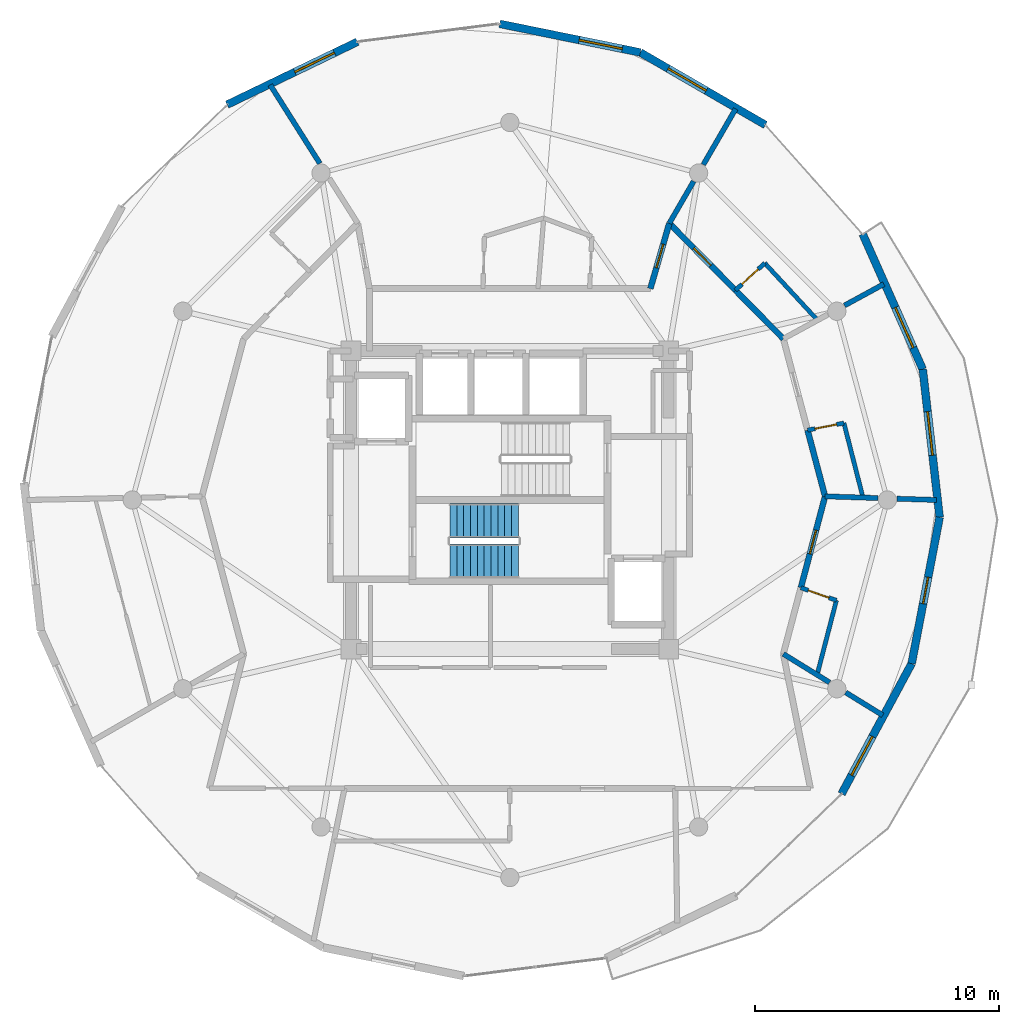
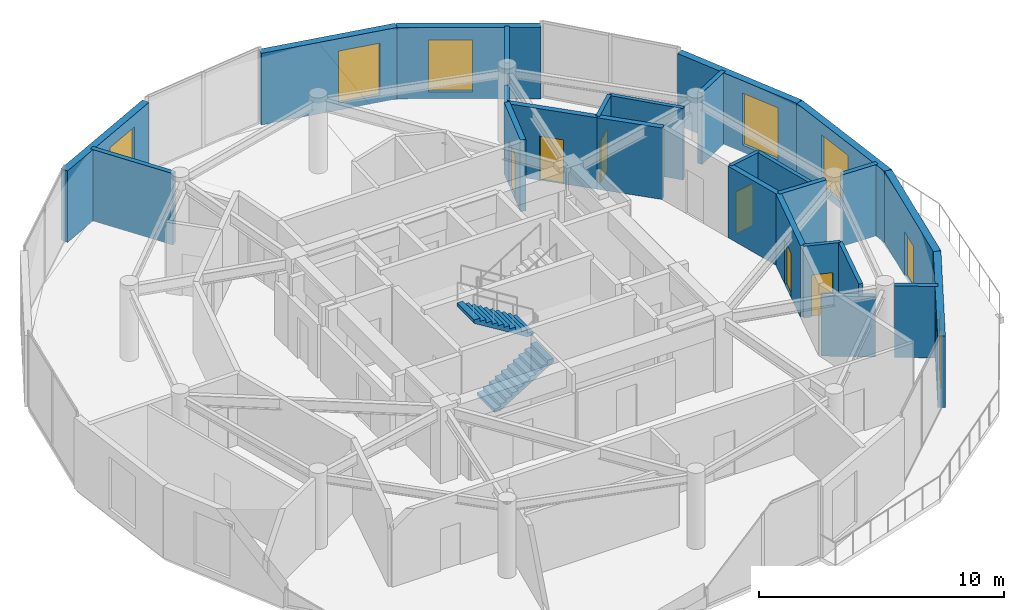
# One storey, part 20 of 23: 26 walls, 7 doors, 6 windows, 2 stair flights, 13 openings, 1 element without a shape of its own.
"""IFC4 building model written with IfcOpenShell, lengths in metres."""

from ifc_helpers import new_model, si_unit, direction, frame, frame_2d, origin, place, context, subcontext, project, spatial, polyline, rectangle, outline, extrude, material, layer, layer_set, type_object, element, fill, aggregate, save


model = new_model("IFC4")

# Units and contexts
model_context = context("Model", 3, precision=1e-05, world=origin(), true_north=direction((0.0, 1.0)))
body_context = subcontext(model_context, "Body", "Model", "MODEL_VIEW")
ifc_project = project(units=[si_unit("LENGTHUNIT", "METRE"), si_unit("AREAUNIT", "SQUARE_METRE"), si_unit("VOLUMEUNIT", "CUBIC_METRE"), si_unit("PLANEANGLEUNIT", "RADIAN"), si_unit("MASSUNIT", "GRAM", prefix="KILO")], contexts=[model_context])

# Site, building, storey
site_placement = place(None, origin())
site = spatial("IfcSite", under=ifc_project, at=site_placement, CompositionType="ELEMENT")
building_placement = place(site_placement, origin())
building = spatial("IfcBuilding", under=site, at=building_placement, Name="Solvirekh Grand Hotel", CompositionType="ELEMENT")
storey_placement = place(building_placement, frame((0.0, 0.0, 285.800048828125)))
storey = spatial("IfcBuildingStorey", under=building, at=storey_placement, Name="L74", CompositionType="ELEMENT", Elevation=285.800048828125)

# Wall, opening, window
ifc_material_1 = material(Name="Precast concrete C45/55", Category="concrete")
ifc_layer_1 = layer(ifc_material_1, 0.320068359375)
ifc_layer_set_1 = layer_set([ifc_layer_1], Name="Precast concrete C45/55")
wall_type_1 = type_object("IfcWallType", Name="ExtLobbyWall_RC320", PredefinedType="SOLIDWALL", material=ifc_layer_set_1)
wall_1_placement = place(storey_placement, frame((16.443115234375, -6.694091796875, 0.0), z_axis=(0.0, 0.0, 1.0), x_axis=(-0.4736836628, -0.880695059369, 0.0)))
wall_1 = element("IfcWall", 1, at=wall_1_placement, inside=storey, type_object=wall_type_1, Name="L74 exterior structural wall chord 4", PredefinedType="SOLIDWALL", context=body_context, shape_type="SweptSolid", body=[
    extrude(rectangle(XDim=6.052978515625, YDim=0.320068359375, at=frame_2d((3.0263671875, 0.0))), origin(), (0.0, 0.0, 1.0), 3.570068359375),
])
opening_1_placement = place(wall_1_placement, frame((3.387939453125, 0.0, 0.35009765625)))
opening_1 = element("IfcOpeningElement", 2, at=opening_1_placement, cuts=wall_1, Name="Opening W02", PredefinedType="OPENING", context=body_context, shape_type="SweptSolid", body=[
    extrude(rectangle(XDim=1.800048828125, YDim=2.60009765625, at=frame_2d((0.89990234375, 1.300048828125))), frame((0.0, 0.169921875, 0.0), z_axis=(0.0, -1.0, 0.0), x_axis=(1.0, 0.0, 0.0)), (0.0, 0.0, 1.0), 0.340087890625),
])
ifc_material_2 = material(Name="Low-E Tinted Bronze Laminated Glass", Category="aluminium")
window_type = type_object("IfcWindowType", Name="Win_LobbyExt_1800X2600", PartitioningType="SINGLE_PANEL", PredefinedType="WINDOW", material=ifc_material_2)
window_1_placement = place(opening_1_placement, origin())
window_1 = element("IfcWindow", 3, at=window_1_placement, inside=storey, type_object=window_type, Name="L74 panoramic bronze-framed window 4", OverallHeight=2.60009765625, OverallWidth=1.800048828125, PartitioningType="SINGLE_PANEL", PredefinedType="WINDOW", context=body_context, shape_type="SweptSolid", body=[
    extrude(rectangle(XDim=1.800048828125, YDim=2.60009765625, at=frame_2d((0.89990234375, 1.300048828125))), frame((0.0, 0.030029296875, 0.0), z_axis=(0.0, -1.0, 0.0), x_axis=(1.0, 0.0, 0.0)), (0.0, 0.0, 1.0), 0.06005859375),
])
fill(opening_1, window_1)

# Wall, opening, door
wall_2_placement = place(storey_placement, frame((17.5869140625, -0.70703125, 0.0), z_axis=(0.0, 0.0, 1.0), x_axis=(-0.187651357853, -0.982235698748, 0.0)))
wall_2 = element("IfcWall", 4, at=wall_2_placement, inside=storey, type_object=wall_type_1, Name="L74 exterior structural wall chord 5", PredefinedType="SOLIDWALL", context=body_context, shape_type="SweptSolid", body=[
    extrude(rectangle(XDim=6.095458984375, YDim=0.320068359375, at=frame_2d((3.0478515625, 0.0))), origin(), (0.0, 0.0, 1.0), 3.570068359375),
])
opening_2_placement = place(wall_2_placement, frame((2.498046875, 0.0, 0.0)))
opening_2 = element("IfcOpeningElement", 5, at=opening_2_placement, cuts=wall_2, Name="Opening D03", PredefinedType="OPENING", context=body_context, shape_type="SweptSolid", body=[
    extrude(rectangle(XDim=1.10009765625, YDim=2.199951171875, at=frame_2d((0.550048828125, 1.10009765625))), frame((0.0, 0.169921875, 0.0), z_axis=(0.0, -1.0, 0.0), x_axis=(1.0, 0.0, 0.0)), (0.0, 0.0, 1.0), 0.340087890625),
])
ifc_material_3 = material(Name="Anodized Bronze Aluminium 6063-T6", Category="aluminium")
door_type_1 = type_object("IfcDoorType", Name="Door_ExtBalcony_1100X2200", OperationType="NOTDEFINED", PredefinedType="DOOR", material=ifc_material_3)
door_1_placement = place(opening_2_placement, origin())
door_1 = element("IfcDoor", 6, at=door_1_placement, inside=storey, type_object=door_type_1, Name="L74 Crescent balcony glazed door (5)", OperationType="SINGLE_SWING_RIGHT", OverallHeight=2.199951171875, OverallWidth=1.10009765625, PredefinedType="DOOR", context=body_context, shape_type="SweptSolid", body=[
    extrude(rectangle(XDim=1.10009765625, YDim=2.199951171875, at=frame_2d((0.550048828125, 1.10009765625))), frame((0.0, 0.02490234375, 0.0), z_axis=(0.0, -1.0, 0.0), x_axis=(1.0, 0.0, 0.0)), (0.0, 0.0, 1.0), 0.050048828125),
])
fill(opening_2, door_1)

# Wall, opening, window
wall_3_placement = place(storey_placement, frame((16.89697265625, 5.34912109375, 0.0), z_axis=(0.0, 0.0, 1.0), x_axis=(0.113191877531, -0.993573147212, 0.0)))
wall_3 = element("IfcWall", 7, at=wall_3_placement, inside=storey, type_object=wall_type_1, Name="L74 exterior structural wall chord 6", PredefinedType="SOLIDWALL", context=body_context, shape_type="SweptSolid", body=[
    extrude(rectangle(XDim=6.09521484375, YDim=0.320068359375, at=frame_2d((3.047607421875, 0.0))), origin(), (0.0, 0.0, 1.0), 3.570068359375),
])
opening_3_placement = place(wall_3_placement, frame((1.739990234375, 0.0, 0.35009765625)))
opening_3 = element("IfcOpeningElement", 8, at=opening_3_placement, cuts=wall_3, Name="Opening W02", PredefinedType="OPENING", context=body_context, shape_type="SweptSolid", body=[
    extrude(rectangle(XDim=1.800048828125, YDim=2.60009765625, at=frame_2d((0.89990234375, 1.300048828125))), frame((0.0, 0.169921875, 0.0), z_axis=(0.0, -1.0, 0.0), x_axis=(1.0, 0.0, 0.0)), (0.0, 0.0, 1.0), 0.340087890625),
])
window_2_placement = place(opening_3_placement, origin())
window_2 = element("IfcWindow", 9, at=window_2_placement, inside=storey, type_object=window_type, Name="L74 panoramic bronze-framed window 6", OverallHeight=2.60009765625, OverallWidth=1.800048828125, PartitioningType="SINGLE_PANEL", PredefinedType="WINDOW", context=body_context, shape_type="SweptSolid", body=[
    extrude(rectangle(XDim=1.800048828125, YDim=2.60009765625, at=frame_2d((0.89990234375, 1.300048828125))), frame((0.0, 0.030029296875, 0.0), z_axis=(0.0, -1.0, 0.0), x_axis=(1.0, 0.0, 0.0)), (0.0, 0.0, 1.0), 0.06005859375),
])
fill(opening_3, window_2)

wall_4_placement = place(storey_placement, frame((14.43994140625, 10.882080078125, 0.0), z_axis=(0.0, 0.0, 1.0), x_axis=(0.405854076471, -0.913937891004, 0.0)))
wall_4 = element("IfcWall", 10, at=wall_4_placement, inside=storey, type_object=wall_type_1, Name="L74 exterior structural wall chord 7", PredefinedType="SOLIDWALL", context=body_context, shape_type="SweptSolid", body=[
    extrude(rectangle(XDim=6.053955078125, YDim=0.320068359375, at=frame_2d((3.02685546875, 0.0))), origin(), (0.0, 0.0, 1.0), 3.570068359375),
])
opening_4_placement = place(wall_4_placement, frame((3.287109375, 0.0, 0.35009765625)))
opening_4 = element("IfcOpeningElement", 11, at=opening_4_placement, cuts=wall_4, Name="Opening W02", PredefinedType="OPENING", context=body_context, shape_type="SweptSolid", body=[
    extrude(rectangle(XDim=1.800048828125, YDim=2.60009765625, at=frame_2d((0.89990234375, 1.300048828125))), frame((0.0, 0.169921875, 0.0), z_axis=(0.0, -1.0, 0.0), x_axis=(1.0, 0.0, 0.0)), (0.0, 0.0, 1.0), 0.340087890625),
])
window_3_placement = place(opening_4_placement, origin())
window_3 = element("IfcWindow", 12, at=window_3_placement, inside=storey, type_object=window_type, Name="L74 panoramic bronze-framed window 7", OverallHeight=2.60009765625, OverallWidth=1.800048828125, PartitioningType="SINGLE_PANEL", PredefinedType="WINDOW", context=body_context, shape_type="SweptSolid", body=[
    extrude(rectangle(XDim=1.800048828125, YDim=2.60009765625, at=frame_2d((0.89990234375, 1.300048828125))), frame((0.0, 0.030029296875, 0.0), z_axis=(0.0, -1.0, 0.0), x_axis=(1.0, 0.0, 0.0)), (0.0, 0.0, 1.0), 0.06005859375),
])
fill(opening_4, window_3)

wall_5_placement = place(storey_placement, frame((5.339111328125, 18.31396484375, 0.0), z_axis=(0.0, 0.0, 1.0), x_axis=(0.865333025006, -0.501197322253, 0.0)))
wall_5 = element("IfcWall", 13, at=wall_5_placement, inside=storey, type_object=wall_type_1, Name="L74 exterior structural wall chord 9", PredefinedType="SOLIDWALL", context=body_context, shape_type="SweptSolid", body=[
    extrude(rectangle(XDim=5.91552734375, YDim=0.320068359375, at=frame_2d((2.957763671875, 0.0))), origin(), (0.0, 0.0, 1.0), 3.570068359375),
])
opening_5_placement = place(wall_5_placement, frame((1.31689453125, 0.0, 0.35009765625)))
opening_5 = element("IfcOpeningElement", 14, at=opening_5_placement, cuts=wall_5, Name="Opening W02", PredefinedType="OPENING", context=body_context, shape_type="SweptSolid", body=[
    extrude(rectangle(XDim=1.800048828125, YDim=2.60009765625, at=frame_2d((0.89990234375, 1.300048828125))), frame((0.0, 0.169921875, 0.0), z_axis=(0.0, -1.0, 0.0), x_axis=(1.0, 0.0, 0.0)), (0.0, 0.0, 1.0), 0.340087890625),
])
window_4_placement = place(opening_5_placement, origin())
window_4 = element("IfcWindow", 15, at=window_4_placement, inside=storey, type_object=window_type, Name="L74 panoramic bronze-framed window 9", OverallHeight=2.60009765625, OverallWidth=1.800048828125, PartitioningType="SINGLE_PANEL", PredefinedType="WINDOW", context=body_context, shape_type="SweptSolid", body=[
    extrude(rectangle(XDim=1.800048828125, YDim=2.60009765625, at=frame_2d((0.89990234375, 1.300048828125))), frame((0.0, 0.030029296875, 0.0), z_axis=(0.0, -1.0, 0.0), x_axis=(1.0, 0.0, 0.0)), (0.0, 0.0, 1.0), 0.06005859375),
])
fill(opening_5, window_4)

wall_6_placement = place(storey_placement, frame((-0.4150390625, 19.486083984375, 0.0), z_axis=(0.0, 0.0, 1.0), x_axis=(0.97987730162, -0.199600785993, 0.0)))
wall_6 = element("IfcWall", 16, at=wall_6_placement, inside=storey, type_object=wall_type_1, Name="L74 exterior structural wall chord 10", PredefinedType="SOLIDWALL", context=body_context, shape_type="SweptSolid", body=[
    extrude(rectangle(XDim=5.872314453125, YDim=0.320068359375, at=frame_2d((2.93603515625, 0.0))), origin(), (0.0, 0.0, 1.0), 3.570068359375),
])
opening_6_placement = place(wall_6_placement, frame((3.318115234375, 0.0, 0.35009765625)))
opening_6 = element("IfcOpeningElement", 17, at=opening_6_placement, cuts=wall_6, Name="Opening W02", PredefinedType="OPENING", context=body_context, shape_type="SweptSolid", body=[
    extrude(rectangle(XDim=1.800048828125, YDim=2.60009765625, at=frame_2d((0.89990234375, 1.300048828125))), frame((0.0, 0.169921875, 0.0), z_axis=(0.0, -1.0, 0.0), x_axis=(1.0, 0.0, 0.0)), (0.0, 0.0, 1.0), 0.340087890625),
])
window_5_placement = place(opening_6_placement, origin())
window_5 = element("IfcWindow", 18, at=window_5_placement, inside=storey, type_object=window_type, Name="L74 panoramic bronze-framed window 10", OverallHeight=2.60009765625, OverallWidth=1.800048828125, PartitioningType="SINGLE_PANEL", PredefinedType="WINDOW", context=body_context, shape_type="SweptSolid", body=[
    extrude(rectangle(XDim=1.800048828125, YDim=2.60009765625, at=frame_2d((0.89990234375, 1.300048828125))), frame((0.0, 0.030029296875, 0.0), z_axis=(0.0, -1.0, 0.0), x_axis=(1.0, 0.0, 0.0)), (0.0, 0.0, 1.0), 0.06005859375),
])
fill(opening_6, window_5)

wall_7_placement = place(storey_placement, frame((-11.569091796875, 16.179931640625, 0.0), z_axis=(0.0, 0.0, 1.0), x_axis=(0.900627949964, 0.434590952212, 0.0)))
wall_7 = element("IfcWall", 19, at=wall_7_placement, inside=storey, type_object=wall_type_1, Name="L74 exterior structural wall chord 12", PredefinedType="SOLIDWALL", context=body_context, shape_type="SweptSolid", body=[
    extrude(rectangle(XDim=5.916015625, YDim=0.320068359375, at=frame_2d((2.9580078125, 0.0))), origin(), (0.0, 0.0, 1.0), 3.570068359375),
])
opening_7_placement = place(wall_7_placement, frame((3.076904296875, 0.0, 0.35009765625)))
opening_7 = element("IfcOpeningElement", 20, at=opening_7_placement, cuts=wall_7, Name="Opening W02", PredefinedType="OPENING", context=body_context, shape_type="SweptSolid", body=[
    extrude(rectangle(XDim=1.800048828125, YDim=2.60009765625, at=frame_2d((0.89990234375, 1.300048828125))), frame((0.0, 0.169921875, 0.0), z_axis=(0.0, -1.0, 0.0), x_axis=(1.0, 0.0, 0.0)), (0.0, 0.0, 1.0), 0.340087890625),
])
window_6_placement = place(opening_7_placement, origin())
window_6 = element("IfcWindow", 21, at=window_6_placement, inside=storey, type_object=window_type, Name="L74 panoramic bronze-framed window 12", OverallHeight=2.60009765625, OverallWidth=1.800048828125, PartitioningType="SINGLE_PANEL", PredefinedType="WINDOW", context=body_context, shape_type="SweptSolid", body=[
    extrude(rectangle(XDim=1.800048828125, YDim=2.60009765625, at=frame_2d((0.89990234375, 1.300048828125))), frame((0.0, 0.030029296875, 0.0), z_axis=(0.0, -1.0, 0.0), x_axis=(1.0, 0.0, 0.0)), (0.0, 0.0, 1.0), 0.06005859375),
])
fill(opening_7, window_6)

# Wall, opening, door
ifc_material_4 = material(Name="Acoustic Gypsum Partition Assembly")
ifc_layer_2 = layer(ifc_material_4, 0.239990234375)
ifc_layer_set_2 = layer_set([ifc_layer_2], Name="Acoustic Gypsum Partition Assembly")
wall_type_2 = type_object("IfcWallType", Name="Part_Corridor_240", PredefinedType="PARTITIONING", material=ifc_layer_set_2)
wall_8_placement = place(storey_placement, frame((5.75, 8.64990234375, 0.0), z_axis=(0.0, 0.0, 1.0), x_axis=(0.27852040308, 0.960430312448, 0.0)))
wall_8 = element("IfcWall", 22, at=wall_8_placement, inside=storey, type_object=wall_type_2, Name="L74 Deluxe Guestroom 7601 entrance wall", PredefinedType="PARTITIONING", context=body_context, shape_type="SweptSolid", body=[
    extrude(rectangle(XDim=2.7822265625, YDim=0.239990234375, at=frame_2d((1.39111328125, 0.0))), origin(), (0.0, 0.0, 1.0), 3.570068359375),
])
opening_8_placement = place(wall_8_placement, frame((0.89111328125, 0.0, 0.0)))
opening_8 = element("IfcOpeningElement", 23, at=opening_8_placement, cuts=wall_8, Name="Opening D07", PredefinedType="OPENING", context=body_context, shape_type="SweptSolid", body=[
    extrude(rectangle(XDim=1.0, YDim=2.199951171875, at=frame_2d((0.5, 1.10009765625))), frame((0.0, 0.1298828125, 0.0), z_axis=(0.0, -1.0, 0.0), x_axis=(1.0, 0.0, 0.0)), (0.0, 0.0, 1.0), 0.260009765625),
])
ifc_material_5 = material(Name="Fire-Rated Steel Door Assembly", Category="steel")
door_type_2 = type_object("IfcDoorType", Name="Door_GuestEntry_1000X2200", OperationType="NOTDEFINED", PredefinedType="DOOR", material=ifc_material_5)
door_2_placement = place(opening_8_placement, origin())
door_2 = element("IfcDoor", 24, at=door_2_placement, inside=storey, type_object=door_type_2, Name="L74 Deluxe Guestroom 7601 entrance door", OperationType="SINGLE_SWING_RIGHT", OverallHeight=2.199951171875, OverallWidth=1.0, PredefinedType="DOOR", context=body_context, shape_type="SweptSolid", body=[
    extrude(rectangle(XDim=1.0, YDim=2.199951171875, at=frame_2d((0.5, 1.10009765625))), frame((0.0, 0.02490234375, 0.0), z_axis=(0.0, -1.0, 0.0), x_axis=(1.0, 0.0, 0.0)), (0.0, 0.0, 1.0), 0.050048828125),
])
fill(opening_8, door_2)

wall_9_placement = place(storey_placement, frame((11.908935546875, -3.591064453125, 0.0), z_axis=(0.0, 0.0, 1.0), x_axis=(0.256064218317, 0.96665977267, 0.0)))
wall_9 = element("IfcWall", 25, at=wall_9_placement, inside=storey, type_object=wall_type_2, Name="L74 Deluxe Guestroom 7604 entrance wall", PredefinedType="PARTITIONING", context=body_context, shape_type="SweptSolid", body=[
    extrude(rectangle(XDim=3.869873046875, YDim=0.239990234375, at=frame_2d((1.93505859375, 0.0))), origin(), (0.0, 0.0, 1.0), 3.570068359375),
])
opening_9_placement = place(wall_9_placement, frame((1.43505859375, 0.0, 0.0)))
opening_9 = element("IfcOpeningElement", 26, at=opening_9_placement, cuts=wall_9, Name="Opening D07", PredefinedType="OPENING", context=body_context, shape_type="SweptSolid", body=[
    extrude(rectangle(XDim=1.0, YDim=2.199951171875, at=frame_2d((0.5, 1.10009765625))), frame((0.0, 0.1298828125, 0.0), z_axis=(0.0, -1.0, 0.0), x_axis=(1.0, 0.0, 0.0)), (0.0, 0.0, 1.0), 0.260009765625),
])
door_3_placement = place(opening_9_placement, origin())
door_3 = element("IfcDoor", 27, at=door_3_placement, inside=storey, type_object=door_type_2, Name="L74 Deluxe Guestroom 7604 entrance door", OperationType="SINGLE_SWING_RIGHT", OverallHeight=2.199951171875, OverallWidth=1.0, PredefinedType="DOOR", context=body_context, shape_type="SweptSolid", body=[
    extrude(rectangle(XDim=1.0, YDim=2.199951171875, at=frame_2d((0.5, 1.10009765625))), frame((0.0, 0.02490234375, 0.0), z_axis=(0.0, -1.0, 0.0), x_axis=(1.0, 0.0, 0.0)), (0.0, 0.0, 1.0), 0.050048828125),
])
fill(opening_9, door_3)

# Walls
wall_10_placement = place(storey_placement, frame((12.89990234375, 0.14990234375, 0.0), z_axis=(0.0, 0.0, 1.0), x_axis=(-0.255796771697, 0.966730578594, 0.0)))
element("IfcWall", 28, at=wall_10_placement, inside=storey, type_object=wall_type_2, Name="L74 En-suite Bathroom 7605 corridor backing wall", PredefinedType="PARTITIONING", context=body_context, shape_type="SweptSolid", body=[
    extrude(rectangle(XDim=2.80224609375, YDim=0.239990234375, at=frame_2d((1.401123046875, 0.0))), origin(), (0.0, 0.0, 1.0), 3.570068359375),
])
wall_11_placement = place(storey_placement, frame((11.19189453125, 6.60009765625, 0.0), z_axis=(0.0, 0.0, 1.0), x_axis=(-0.702979205765, 0.711210402245, 0.0)))
element("IfcWall", 29, at=wall_11_placement, inside=storey, type_object=wall_type_2, Name="L74 En-suite Bathroom 7606 corridor backing wall", PredefinedType="PARTITIONING", context=body_context, shape_type="SweptSolid", body=[
    extrude(rectangle(XDim=2.7880859375, YDim=0.239990234375, at=frame_2d((1.39404296875, 0.0))), origin(), (0.0, 0.0, 1.0), 3.570068359375),
])

# Wall, opening, door
wall_12_placement = place(storey_placement, frame((9.23193359375, 8.5830078125, 0.0), z_axis=(0.0, 0.0, 1.0), x_axis=(-0.702942107486, 0.711247069254, 0.0)))
wall_12 = element("IfcWall", 30, at=wall_12_placement, inside=storey, type_object=wall_type_2, Name="L74 Deluxe Guestroom 7606 entrance wall", PredefinedType="PARTITIONING", context=body_context, shape_type="SweptSolid", body=[
    extrude(rectangle(XDim=3.85107421875, YDim=0.239990234375, at=frame_2d((1.925537109375, 0.0))), origin(), (0.0, 0.0, 1.0), 3.570068359375),
])
opening_10_placement = place(wall_12_placement, frame((1.425048828125, 0.0, 0.0)))
opening_10 = element("IfcOpeningElement", 31, at=opening_10_placement, cuts=wall_12, Name="Opening D07", PredefinedType="OPENING", context=body_context, shape_type="SweptSolid", body=[
    extrude(rectangle(XDim=1.0, YDim=2.199951171875, at=frame_2d((0.5, 1.10009765625))), frame((0.0, 0.1298828125, 0.0), z_axis=(0.0, -1.0, 0.0), x_axis=(1.0, 0.0, 0.0)), (0.0, 0.0, 1.0), 0.260009765625),
])
door_4_placement = place(opening_10_placement, origin())
door_4 = element("IfcDoor", 32, at=door_4_placement, inside=storey, type_object=door_type_2, Name="L74 Deluxe Guestroom 7606 entrance door", OperationType="SINGLE_SWING_RIGHT", OverallHeight=2.199951171875, OverallWidth=1.0, PredefinedType="DOOR", context=body_context, shape_type="SweptSolid", body=[
    extrude(rectangle(XDim=1.0, YDim=2.199951171875, at=frame_2d((0.5, 1.10009765625))), frame((0.0, 0.02490234375, 0.0), z_axis=(0.0, -1.0, 0.0), x_axis=(1.0, 0.0, 0.0)), (0.0, 0.0, 1.0), 0.050048828125),
])
fill(opening_10, door_4)

# Walls
ifc_layer_3 = layer(ifc_material_4, 0.2099609375)
ifc_layer_set_3 = layer_set([ifc_layer_3], Name="Acoustic Gypsum Partition Assembly")
wall_type_3 = type_object("IfcWallType", Name="Part_SuiteDemise_210", PredefinedType="PARTITIONING", material=ifc_layer_set_3)
wall_13_placement = place(storey_placement, frame((12.89990234375, 0.14990234375, 0.0), z_axis=(0.0, 0.0, 1.0), x_axis=(0.999464758513, -0.032713857784, 0.0)))
element("IfcWall", 33, at=wall_13_placement, inside=storey, type_object=wall_type_3, Name="L74 suite radial wall 1 (A)", PredefinedType="PARTITIONING", context=body_context, shape_type="SweptSolid", body=[
    extrude(rectangle(XDim=2.164306640625, YDim=0.2099609375, at=frame_2d((1.08203125, 0.0))), origin(), (0.0, 0.0, 1.0), 3.570068359375),
])
wall_14_placement = place(storey_placement, frame((15.841064453125, 0.052978515625, 0.0), z_axis=(0.0, 0.0, 1.0), x_axis=(0.999468972753, -0.032584850824, 0.0)))
element("IfcWall", 34, at=wall_14_placement, inside=storey, type_object=wall_type_3, Name="L74 suite radial wall 1 (B)", PredefinedType="PARTITIONING", context=body_context, shape_type="SweptSolid", body=[
    extrude(rectangle(XDim=1.6259765625, YDim=0.2099609375, at=frame_2d((0.81298828125, 0.0))), origin(), (0.0, 0.0, 1.0), 3.570068359375),
])
wall_15_placement = place(storey_placement, frame((13.696044921875, 7.9609375, 0.0), z_axis=(0.0, 0.0, 1.0), x_axis=(0.87848586555, 0.477768337198, 0.0)))
element("IfcWall", 35, at=wall_15_placement, inside=storey, type_object=wall_type_3, Name="L74 suite radial wall 2 (B)", PredefinedType="PARTITIONING", context=body_context, shape_type="SweptSolid", body=[
    extrude(rectangle(XDim=1.83154296875, YDim=0.2099609375, at=frame_2d((0.915771484375, 0.0))), origin(), (0.0, 0.0, 1.0), 3.570068359375),
])
wall_16_placement = place(storey_placement, frame((6.52490234375, 11.322021484375, 0.0), z_axis=(0.0, 0.0, 1.0), x_axis=(0.501738314133, 0.865019458817, 0.0)))
element("IfcWall", 36, at=wall_16_placement, inside=storey, type_object=wall_type_3, Name="L74 suite radial wall 3 (A)", PredefinedType="PARTITIONING", context=body_context, shape_type="SweptSolid", body=[
    extrude(rectangle(XDim=1.9873046875, YDim=0.2099609375, at=frame_2d((0.99365234375, 0.0))), origin(), (0.0, 0.0, 1.0), 3.010986328125),
])
wall_17_placement = place(storey_placement, frame((7.91796875, 13.72412109375, 0.0), z_axis=(0.0, 0.0, 1.0), x_axis=(0.501677940029, 0.865054474868, 0.0)))
element("IfcWall", 37, at=wall_17_placement, inside=storey, type_object=wall_type_3, Name="L74 suite radial wall 3 (B)", PredefinedType="PARTITIONING", context=body_context, shape_type="SweptSolid", body=[
    extrude(rectangle(XDim=2.63916015625, YDim=0.2099609375, at=frame_2d((1.319580078125, 0.0))), origin(), (0.0, 0.0, 1.0), 3.570068359375),
])
wall_18_placement = place(storey_placement, frame((-7.77392578125, 13.77197265625, 0.0), z_axis=(0.0, 0.0, 1.0), x_axis=(-0.534555632153, 0.845133288975, 0.0)))
element("IfcWall", 38, at=wall_18_placement, inside=storey, type_object=wall_type_3, Name="L74 suite radial wall 5 (B)", PredefinedType="PARTITIONING", context=body_context, shape_type="SweptSolid", body=[
    extrude(rectangle(XDim=3.802978515625, YDim=0.2099609375, at=frame_2d((1.9013671875, 0.0))), origin(), (0.0, 0.0, 1.0), 3.570068359375),
])
wall_19_placement = place(storey_placement, frame((11.19189453125, -6.300048828125, 0.0), z_axis=(0.0, 0.0, 1.0), x_axis=(0.851084090432, -0.525029400142, 0.0)))
element("IfcWall", 39, at=wall_19_placement, inside=storey, type_object=wall_type_3, Name="L74 suite radial wall 12 (A)", PredefinedType="PARTITIONING", context=body_context, shape_type="SweptSolid", body=[
    extrude(rectangle(XDim=2.220947265625, YDim=0.2099609375, at=frame_2d((1.1103515625, 0.0))), origin(), (0.0, 0.0, 1.0), 3.010986328125),
])
wall_20_placement = place(storey_placement, frame((13.7451171875, -7.875, 0.0), z_axis=(0.0, 0.0, 1.0), x_axis=(0.850951244942, -0.52524468463, 0.0)))
element("IfcWall", 40, at=wall_20_placement, inside=storey, type_object=wall_type_3, Name="L74 suite radial wall 12 (B)", PredefinedType="PARTITIONING", context=body_context, shape_type="SweptSolid", body=[
    extrude(rectangle(XDim=1.7802734375, YDim=0.2099609375, at=frame_2d((0.89013671875, 0.0))), origin(), (0.0, 0.0, 1.0), 3.570068359375),
])
ifc_layer_4 = layer(ifc_material_4, 0.175048828125)
ifc_layer_set_4 = layer_set([ifc_layer_4], Name="Acoustic Gypsum Partition Assembly")
wall_type_4 = type_object("IfcWallType", Name="Plumb_Ensuite_175", PredefinedType="PLUMBINGWALL", material=ifc_layer_set_4)
wall_21_placement = place(storey_placement, frame((12.574951171875, -7.153076171875, 0.0), z_axis=(0.0, 0.0, 1.0), x_axis=(0.25076020851, 0.968049233163, 0.0)))
element("IfcWall", 41, at=wall_21_placement, inside=storey, type_object=wall_type_4, Name="L74 En-suite Bathroom 7604 outer plumbing wall", PredefinedType="PLUMBINGWALL", context=body_context, shape_type="SweptSolid", body=[
    extrude(rectangle(XDim=3.146728515625, YDim=0.175048828125, at=frame_2d((1.5732421875, 0.0))), origin(), (0.0, 0.0, 1.0), 3.570068359375),
])

# Wall, opening, door
wall_22_placement = place(storey_placement, frame((11.908935546875, -3.591064453125, 0.0), z_axis=(0.0, 0.0, 1.0), x_axis=(0.94251934993, -0.3341515749, 0.0)))
wall_22 = element("IfcWall", 42, at=wall_22_placement, inside=storey, type_object=wall_type_4, Name="L74 En-suite Bathroom 7604 entry plumbing wall", PredefinedType="PLUMBINGWALL", context=body_context, shape_type="SweptSolid", body=[
    extrude(rectangle(XDim=1.543701171875, YDim=0.175048828125, at=frame_2d((0.77197265625, 0.0))), origin(), (0.0, 0.0, 1.0), 3.570068359375),
])
opening_11_placement = place(wall_22_placement, frame((0.322021484375, 0.0, 0.0)))
opening_11 = element("IfcOpeningElement", 43, at=opening_11_placement, cuts=wall_22, Name="Opening D09", PredefinedType="OPENING", context=body_context, shape_type="SweptSolid", body=[
    extrude(rectangle(XDim=0.89990234375, YDim=2.10009765625, at=frame_2d((0.449951171875, 1.050048828125))), frame((0.0, 0.09765625, 0.0), z_axis=(0.0, -1.0, 0.0), x_axis=(1.0, 0.0, 0.0)), (0.0, 0.0, 1.0), 0.195068359375),
])
door_type_3 = type_object("IfcDoorType", Name="Door_Ensuite_900X2100", OperationType="NOTDEFINED", PredefinedType="DOOR", material=ifc_material_3)
door_5_placement = place(opening_11_placement, origin())
door_5 = element("IfcDoor", 44, at=door_5_placement, inside=storey, type_object=door_type_3, Name="L74 En-suite Bathroom 7604 door", OperationType="SINGLE_SWING_LEFT", OverallHeight=2.10009765625, OverallWidth=0.89990234375, PredefinedType="DOOR", context=body_context, shape_type="SweptSolid", body=[
    extrude(rectangle(XDim=0.89990234375, YDim=2.10009765625, at=frame_2d((0.449951171875, 1.050048828125))), frame((0.0, 0.02490234375, 0.0), z_axis=(0.0, -1.0, 0.0), x_axis=(1.0, 0.0, 0.0)), (0.0, 0.0, 1.0), 0.050048828125),
])
fill(opening_11, door_5)

# Wall
wall_23_placement = place(storey_placement, frame((14.451904296875, 0.09912109375, 0.0), z_axis=(0.0, 0.0, 1.0), x_axis=(-0.248078682083, 0.968739886397, 0.0)))
element("IfcWall", 45, at=wall_23_placement, inside=storey, type_object=wall_type_4, Name="L74 En-suite Bathroom 7605 outer plumbing wall", PredefinedType="PLUMBINGWALL", context=body_context, shape_type="SweptSolid", body=[
    extrude(rectangle(XDim=3.148193359375, YDim=0.175048828125, at=frame_2d((1.57421875, 0.0))), origin(), (0.0, 0.0, 1.0), 3.570068359375),
])

# Wall, opening, door
wall_24_placement = place(storey_placement, frame((12.18310546875, 2.85888671875, 0.0), z_axis=(0.0, 0.0, 1.0), x_axis=(0.981523067571, 0.191343847108, 0.0)))
wall_24 = element("IfcWall", 46, at=wall_24_placement, inside=storey, type_object=wall_type_4, Name="L74 En-suite Bathroom 7605 entry plumbing wall", PredefinedType="PLUMBINGWALL", context=body_context, shape_type="SweptSolid", body=[
    extrude(rectangle(XDim=1.515869140625, YDim=0.175048828125, at=frame_2d((0.7578125, 0.0))), origin(), (0.0, 0.0, 1.0), 3.570068359375),
])
opening_12_placement = place(wall_24_placement, frame((0.30810546875, 0.0, 0.0)))
opening_12 = element("IfcOpeningElement", 47, at=opening_12_placement, cuts=wall_24, Name="Opening D09", PredefinedType="OPENING", context=body_context, shape_type="SweptSolid", body=[
    extrude(rectangle(XDim=0.89990234375, YDim=2.10009765625, at=frame_2d((0.449951171875, 1.050048828125))), frame((0.0, 0.09765625, 0.0), z_axis=(0.0, -1.0, 0.0), x_axis=(1.0, 0.0, 0.0)), (0.0, 0.0, 1.0), 0.195068359375),
])
door_6_placement = place(opening_12_placement, origin())
door_6 = element("IfcDoor", 48, at=door_6_placement, inside=storey, type_object=door_type_3, Name="L74 En-suite Bathroom 7605 door", OperationType="SINGLE_SWING_LEFT", OverallHeight=2.10009765625, OverallWidth=0.89990234375, PredefinedType="DOOR", context=body_context, shape_type="SweptSolid", body=[
    extrude(rectangle(XDim=0.89990234375, YDim=2.10009765625, at=frame_2d((0.449951171875, 1.050048828125))), frame((0.0, 0.02490234375, 0.0), z_axis=(0.0, -1.0, 0.0), x_axis=(1.0, 0.0, 0.0)), (0.0, 0.0, 1.0), 0.050048828125),
])
fill(opening_12, door_6)

# Wall
wall_25_placement = place(storey_placement, frame((12.590087890625, 7.360107421875, 0.0), z_axis=(0.0, 0.0, 1.0), x_axis=(-0.679236484788, 0.733919476327, 0.0)))
element("IfcWall", 49, at=wall_25_placement, inside=storey, type_object=wall_type_4, Name="L74 En-suite Bathroom 7606 outer plumbing wall", PredefinedType="PLUMBINGWALL", context=body_context, shape_type="SweptSolid", body=[
    extrude(rectangle(XDim=3.178955078125, YDim=0.175048828125, at=frame_2d((1.58935546875, 0.0))), origin(), (0.0, 0.0, 1.0), 3.570068359375),
])

# Wall, opening, door
wall_26_placement = place(storey_placement, frame((9.23193359375, 8.5830078125, 0.0), z_axis=(0.0, 0.0, 1.0), x_axis=(0.733777226426, 0.679390154461, 0.0)))
wall_26 = element("IfcWall", 50, at=wall_26_placement, inside=storey, type_object=wall_type_4, Name="L74 En-suite Bathroom 7606 entry plumbing wall", PredefinedType="PLUMBINGWALL", context=body_context, shape_type="SweptSolid", body=[
    extrude(rectangle(XDim=1.634033203125, YDim=0.175048828125, at=frame_2d((0.81689453125, 0.0))), origin(), (0.0, 0.0, 1.0), 3.570068359375),
])
opening_13_placement = place(wall_26_placement, frame((0.366943359375, 0.0, 0.0)))
opening_13 = element("IfcOpeningElement", 51, at=opening_13_placement, cuts=wall_26, Name="Opening D09", PredefinedType="OPENING", context=body_context, shape_type="SweptSolid", body=[
    extrude(rectangle(XDim=0.89990234375, YDim=2.10009765625, at=frame_2d((0.449951171875, 1.050048828125))), frame((0.0, 0.09765625, 0.0), z_axis=(0.0, -1.0, 0.0), x_axis=(1.0, 0.0, 0.0)), (0.0, 0.0, 1.0), 0.195068359375),
])
door_7_placement = place(opening_13_placement, origin())
door_7 = element("IfcDoor", 52, at=door_7_placement, inside=storey, type_object=door_type_3, Name="L74 En-suite Bathroom 7606 door", OperationType="SINGLE_SWING_LEFT", OverallHeight=2.10009765625, OverallWidth=0.89990234375, PredefinedType="DOOR", context=body_context, shape_type="SweptSolid", body=[
    extrude(rectangle(XDim=0.89990234375, YDim=2.10009765625, at=frame_2d((0.449951171875, 1.050048828125))), frame((0.0, 0.02490234375, 0.0), z_axis=(0.0, -1.0, 0.0), x_axis=(1.0, 0.0, 0.0)), (0.0, 0.0, 1.0), 0.050048828125),
])
fill(opening_13, door_7)

# Stair, stair flights
ifc_material_6 = material(Name="Concrete C40/50", Category="concrete")
stair_type = type_object("IfcStairType", Name="Stair_Core_1450", PredefinedType="HALF_TURN_STAIR", material=ifc_material_6)
stair_placement = place(storey_placement, origin())
stair = element("IfcStair", 53, at=stair_placement, inside=storey, type_object=stair_type, Name="L74 Enclosed exit stair ST-1", PredefinedType="HALF_TURN_STAIR")
stair_flight_type = type_object("IfcStairFlightType", Name="Flight_Core_1450", PredefinedType="STRAIGHT", material=ifc_material_6)
stair_flight_1_placement = place(storey_placement, frame((-2.449951171875, -2.5, 0.0), z_axis=(0.0, 0.0, 1.0), x_axis=(1.0, 0.0, 0.0)))
stair_flight_1 = element("IfcStairFlight", 54, at=stair_flight_1_placement, type_object=stair_flight_type, Name="ST-1 flight 1", NumberOfRisers=11, NumberOfTreads=10, PredefinedType="STRAIGHT", RiserHeight=0.172727273, TreadLength=0.28, context=body_context, shape_type="SweptSolid", body=[
    extrude(outline(polyline([(0.0, 0.0), (0.0, 0.172607421875), (0.280029296875, 0.172607421875), (0.280029296875, 0.345458984375), (0.56005859375, 0.345458984375), (0.56005859375, 0.51806640625), (0.840087890625, 0.51806640625), (0.840087890625, 0.69091796875), (1.1201171875, 0.69091796875), (1.1201171875, 0.863525390625), (1.39990234375, 0.863525390625), (1.39990234375, 1.036376953125), (1.679931640625, 1.036376953125), (1.679931640625, 1.208984375), (1.9599609375, 1.208984375), (1.9599609375, 1.3818359375), (2.239990234375, 1.3818359375), (2.239990234375, 1.554443359375), (2.52001953125, 1.554443359375), (2.52001953125, 1.727294921875), (2.800048828125, 1.727294921875), (2.800048828125, 1.89990234375), (2.800048828125, 1.551025390625), (0.285400390625, 0.0), (0.0, 0.0)])), frame((0.0, 0.699951171875, 0.0), z_axis=(0.0, -1.0, 0.0), x_axis=(1.0, 0.0, 0.0)), (0.0, 0.0, 1.0), 1.39990234375),
])
stair_flight_2_placement = place(storey_placement, frame((0.35009765625, -0.85009765625, 1.89990234375), z_axis=(0.0, 0.0, 1.0), x_axis=(-1.0, 0.0, 0.0)))
stair_flight_2 = element("IfcStairFlight", 55, at=stair_flight_2_placement, type_object=stair_flight_type, Name="ST-1 flight 2", NumberOfRisers=11, NumberOfTreads=10, PredefinedType="STRAIGHT", RiserHeight=0.172727273, TreadLength=0.28, context=body_context, shape_type="SweptSolid", body=[
    extrude(outline(polyline([(0.0, 0.0), (0.0, 0.172607421875), (0.280029296875, 0.172607421875), (0.280029296875, 0.345458984375), (0.56005859375, 0.345458984375), (0.56005859375, 0.51806640625), (0.840087890625, 0.51806640625), (0.840087890625, 0.69091796875), (1.1201171875, 0.69091796875), (1.1201171875, 0.863525390625), (1.39990234375, 0.863525390625), (1.39990234375, 1.036376953125), (1.679931640625, 1.036376953125), (1.679931640625, 1.208984375), (1.9599609375, 1.208984375), (1.9599609375, 1.3818359375), (2.239990234375, 1.3818359375), (2.239990234375, 1.554443359375), (2.52001953125, 1.554443359375), (2.52001953125, 1.727294921875), (2.800048828125, 1.727294921875), (2.800048828125, 1.89990234375), (2.800048828125, 1.551025390625), (0.285400390625, 0.0), (0.0, 0.0)])), frame((0.0, 0.699951171875, 0.0), z_axis=(0.0, -1.0, 0.0), x_axis=(1.0, 0.0, 0.0)), (0.0, 0.0, 1.0), 1.39990234375),
])
aggregate(stair, [stair_flight_1, stair_flight_2])

save(model, "model.ifc")
